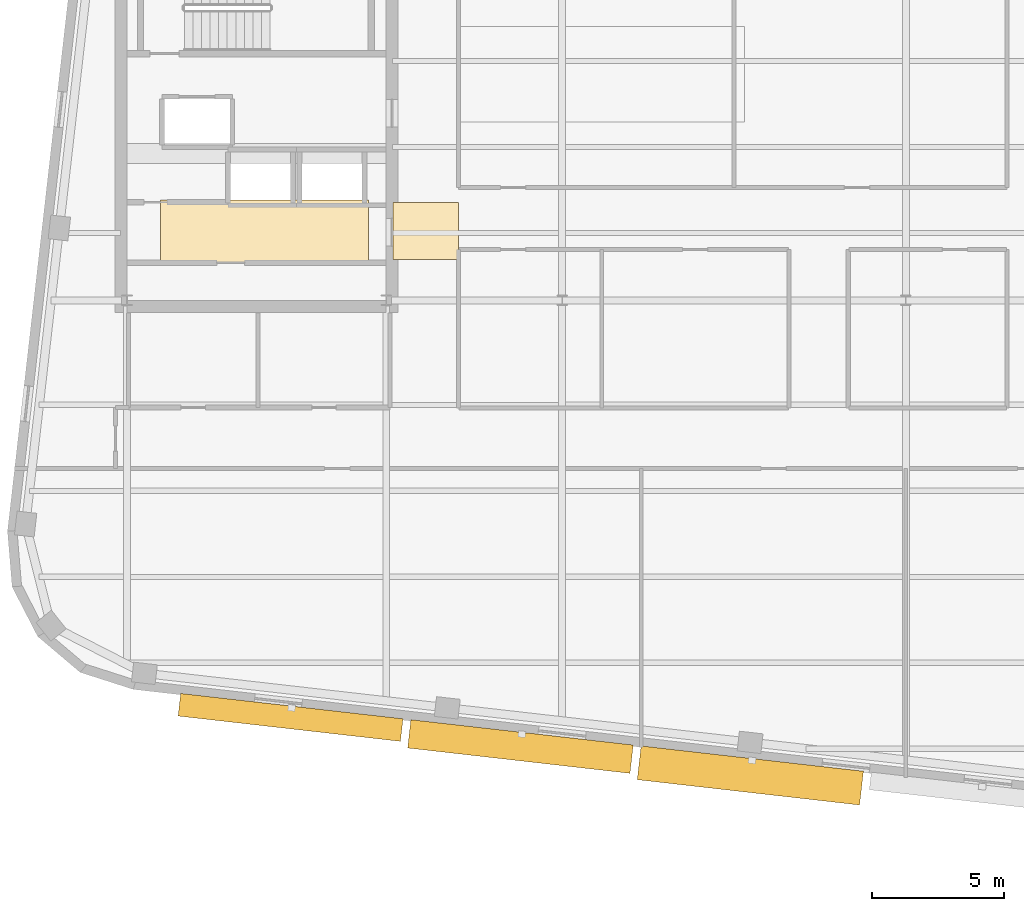
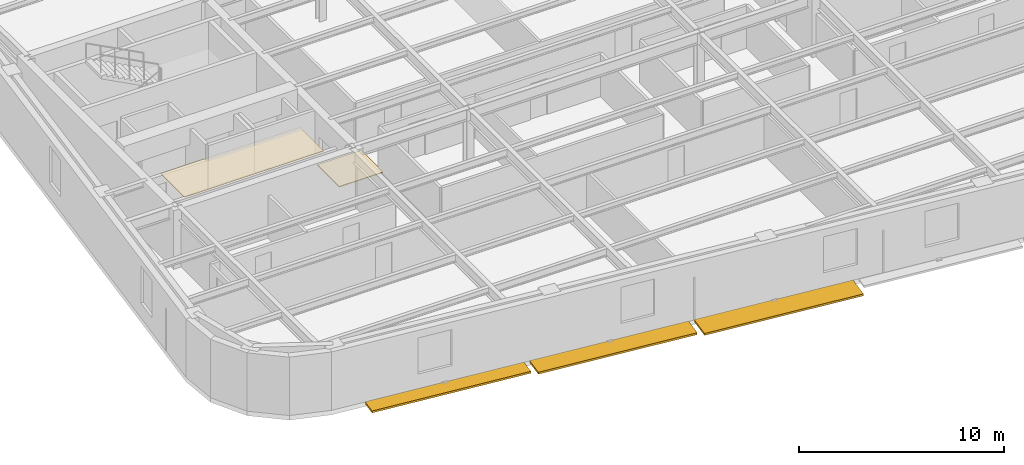
# One storey, part 10 of 13: 3 shading devices, 2 coverings.
"""IFC4 building model written with IfcOpenShell, lengths in metres."""

import ifcopenshell
import ifcopenshell.guid

model = None  # the IFC model being written
_history = None  # IfcOwnerHistory: only IFC2X3 demands one
_inside = {}  # id of a spatial element -> (the spatial element, [elements in it])
_under = {}  # id of a project, library or spatial element -> (it, [spatial elements below it])
_declared = {}  # id of a project -> (the project, [libraries it declares])
_typed = {}  # id of a type object -> (the type object, [elements of that type])
_made_of = {}  # id of a material, layer set ... -> (it, [elements and type objects made of it])


def new_model(schema):
    """Start an empty IFC model of exactly this schema.

    Asked for "IFC4X3", IfcOpenShell would pick the latest addendum, in which some entities
    have other attributes; the version numbers below select the first issue.
    IFC2X3 requires an IfcOwnerHistory on every rooted entity: one is made here for all.
    """
    global model, _history
    if schema == "IFC4X3":
        model = ifcopenshell.file(schema_version=(4, 3, 0, 0))
    else:
        model = ifcopenshell.file(schema=schema)
    _inside.clear()
    _under.clear()
    _declared.clear()
    _typed.clear()
    _made_of.clear()
    _history = None
    if model.schema == "IFC2X3":
        org = make("IfcOrganization", Name="unknown")
        user = make(
            "IfcPersonAndOrganization",
            ThePerson=make("IfcPerson", FamilyName="unknown"),
            TheOrganization=org,
        )
        app = make(
            "IfcApplication",
            ApplicationDeveloper=org,
            Version="unknown",
            ApplicationFullName="unknown",
            ApplicationIdentifier="unknown",
        )
        _history = make(
            "IfcOwnerHistory",
            OwningUser=user,
            OwningApplication=app,
            ChangeAction="ADDED",
            CreationDate=0,
        )
    return model


def make(cls, **values):
    """One entity of the class cls with the attributes given. An attribute that is None is left unset."""
    return model.create_entity(
        cls, **{name: value for name, value in values.items() if value is not None}
    )


def rooted(cls, **values):
    """An entity with a GlobalId (a new one), such as an element, a storey or a relation."""
    return make(cls, GlobalId=ifcopenshell.guid.new(), OwnerHistory=_history, **values)


def si_unit(unit_type, name, prefix=None):
    """IfcSIUnit, for example si_unit("LENGTHUNIT", "METRE", prefix="MILLI")."""
    return make("IfcSIUnit", UnitType=unit_type, Prefix=prefix, Name=name)


def assignment(units):
    """IfcUnitAssignment: the units of a project."""
    return None if units is None else make("IfcUnitAssignment", Units=units)


def point(xyz):
    """IfcCartesianPoint."""
    return None if xyz is None else make("IfcCartesianPoint", Coordinates=xyz)


def direction(xyz):
    """IfcDirection."""
    return None if xyz is None else make("IfcDirection", DirectionRatios=xyz)


def frame(location, z_axis=None, x_axis=None):
    """IfcAxis2Placement3D, a coordinate frame: its origin and axes. An axis left out is left unset."""
    return make(
        "IfcAxis2Placement3D",
        Location=point(location),
        Axis=direction(z_axis),
        RefDirection=direction(x_axis),
    )


def frame_2d(location, x_axis=None):
    """IfcAxis2Placement2D, a coordinate frame in the plane: its origin and x axis."""
    return make(
        "IfcAxis2Placement2D", Location=point(location), RefDirection=direction(x_axis)
    )


def origin():
    """The frame at (0, 0, 0) with its axes left unset."""
    return frame((0.0, 0.0, 0.0))


def origin_2d():
    """The frame at (0, 0) in the plane with its x axis left unset."""
    return frame_2d((0.0, 0.0))


def place(relative_to, where):
    """IfcLocalPlacement: puts the frame where relative to a parent placement (None: the world)."""
    return make(
        "IfcLocalPlacement", PlacementRelTo=relative_to, RelativePlacement=where
    )


def context(
    kind, dimensions, precision=None, world=None, true_north=None, identifier=None
):
    """IfcGeometricRepresentationContext, for example the 3D "Model" context."""
    return make(
        "IfcGeometricRepresentationContext",
        ContextIdentifier=identifier,
        ContextType=kind,
        CoordinateSpaceDimension=dimensions,
        Precision=precision,
        WorldCoordinateSystem=world,
        TrueNorth=true_north,
    )


def subcontext(parent, identifier, kind, view, scale=None):
    """IfcGeometricRepresentationSubContext, for example "Body" below "Model"."""
    return make(
        "IfcGeometricRepresentationSubContext",
        ContextIdentifier=identifier,
        ContextType=kind,
        ParentContext=parent,
        TargetScale=scale,
        TargetView=view,
    )


def project(units=None, contexts=None):
    """IfcProject with its units and contexts."""
    return rooted(
        "IfcProject",
        Name="project",
        RepresentationContexts=contexts,
        UnitsInContext=assignment(units),
    )


def spatial(cls, under=None, at=None, **own):
    """A site, building, storey or space (cls), placed at a placement, below another one or the project."""
    s = rooted(cls, ObjectPlacement=at, **own)
    if under is not None:
        _under.setdefault(under.id(), (under, []))[1].append(s)
    return s


def polyline(points):
    """IfcPolyline through the points."""
    return make("IfcPolyline", Points=[point(p) for p in points])


def profile(cls, at=None, kind="AREA", **sizes):
    """A parametric profile (cls). Its sizes go by their IFC names, for example OverallWidth=200.0."""
    return make(cls, ProfileType=kind, Position=at, **sizes)


def rectangle(**sizes):
    """IfcRectangleProfileDef."""
    return profile("IfcRectangleProfileDef", **sizes)


def outline(outer, holes=None, kind="AREA"):
    """IfcArbitraryClosedProfileDef: a profile drawn as a closed curve; with holes, ...WithVoids."""
    if holes is None:
        return make("IfcArbitraryClosedProfileDef", ProfileType=kind, OuterCurve=outer)
    return make(
        "IfcArbitraryProfileDefWithVoids",
        ProfileType=kind,
        OuterCurve=outer,
        InnerCurves=holes,
    )


def extrude(swept, where, along, depth):
    """IfcExtrudedAreaSolid: the profile swept, set in the frame where, extruded along a direction by depth."""
    return make(
        "IfcExtrudedAreaSolid",
        SweptArea=swept,
        Position=where,
        ExtrudedDirection=direction(along),
        Depth=depth,
    )


def shape(context_of_items, identifier, shape_type, items):
    """IfcShapeRepresentation: the items that make up one representation, for example the "Body"."""
    return make(
        "IfcShapeRepresentation",
        ContextOfItems=context_of_items,
        RepresentationIdentifier=identifier,
        RepresentationType=shape_type,
        Items=items,
    )


def material(Name=None, Category=None):
    """IfcMaterial."""
    return make("IfcMaterial", Name=Name, Category=Category)


def layer(
    of_material, thickness, ventilated=None, Name=None, Category=None, Priority=None
):
    """IfcMaterialLayer: one layer of a wall or slab, of a material (None: an air gap)."""
    return make(
        "IfcMaterialLayer",
        Material=of_material,
        LayerThickness=thickness,
        IsVentilated=ventilated,
        Name=Name,
        Category=Category,
        Priority=Priority,
    )


def layer_set(layers, Name=None):
    """IfcMaterialLayerSet."""
    return make("IfcMaterialLayerSet", MaterialLayers=layers, LayerSetName=Name)


def made_of(thing, what):
    """Note that an element or type object is made of a material, layer set ...; save() writes the relation."""
    if what is not None:
        _made_of.setdefault(what.id(), (what, []))[1].append(thing)
    return thing


def type_object(cls, material=None, **own):
    """A type object (cls), such as IfcWallType, which elements share."""
    return made_of(rooted(cls, **own), material)


def element(
    cls,
    number,
    at=None,
    inside=None,
    cuts=None,
    type_object=None,
    material=None,
    context=None,
    identifier="Body",
    shape_type=None,
    held_by="IfcProductDefinitionShape",
    body=None,
    shapes=None,
    **own,
):
    """One element of the class cls, such as IfcWall. Its Tag is "e" and its number.

    at: its placement. inside: the storey or other place that contains it. cuts: it is an
    opening in that element (IfcRelVoidsElement). A single representation is given by context,
    identifier, shape_type and body (its items); several are given by shapes. held_by: the class
    of the entity that holds the representations. save() writes the other relations.
    """
    e = rooted(cls, Tag="e%d" % number, ObjectPlacement=at, **own)
    if body is not None:
        shapes = [shape(context, identifier, shape_type, body)]
    if shapes is not None:
        e.Representation = make(held_by, Representations=shapes)
    if inside is not None:
        _inside.setdefault(inside.id(), (inside, []))[1].append(e)
    if cuts is not None:
        rooted(
            "IfcRelVoidsElement", RelatingBuildingElement=cuts, RelatedOpeningElement=e
        )
    if type_object is not None:
        _typed.setdefault(type_object.id(), (type_object, []))[1].append(e)
    return made_of(e, material)


def aggregate(whole, parts):
    """IfcRelAggregates: a whole, such as a stair, and the parts it consists of."""
    return rooted("IfcRelAggregates", RelatingObject=whole, RelatedObjects=parts)


def save(model, path):
    """Write the relations noted so far, then the file.

    IfcRelAggregates (storeys below a building ...), IfcRelContainedInSpatialStructure (elements
    in a storey), IfcRelDefinesByType, IfcRelAssociatesMaterial and IfcRelDeclares: one each for
    every whole, place, type object, material and project.
    """
    for whole, parts in _under.values():
        aggregate(whole, parts)
    for where, things in _inside.values():
        rooted(
            "IfcRelContainedInSpatialStructure",
            RelatedElements=things,
            RelatingStructure=where,
        )
    for kind, things in _typed.values():
        rooted("IfcRelDefinesByType", RelatedObjects=things, RelatingType=kind)
    for what, things in _made_of.values():
        rooted("IfcRelAssociatesMaterial", RelatedObjects=things, RelatingMaterial=what)
    for by, libraries in _declared.values():
        rooted("IfcRelDeclares", RelatingContext=by, RelatedDefinitions=libraries)
    model.write(path)


model = new_model("IFC4")

# Units and contexts
model_context = context("Model", 3, precision=1e-05, world=origin(), true_north=direction((0.0, 1.0)))
body_context = subcontext(model_context, "Body", "Model", "MODEL_VIEW")
ifc_project = project(units=[si_unit("LENGTHUNIT", "METRE"), si_unit("AREAUNIT", "SQUARE_METRE"), si_unit("VOLUMEUNIT", "CUBIC_METRE"), si_unit("PLANEANGLEUNIT", "RADIAN"), si_unit("MASSUNIT", "GRAM", prefix="KILO")], contexts=[model_context])

# Site, building, storey
site_placement = place(None, origin())
site = spatial("IfcSite", under=ifc_project, at=site_placement, CompositionType="ELEMENT")
building_placement = place(site_placement, origin())
building = spatial("IfcBuilding", under=site, at=building_placement, Name="Kolvaren Arena Tower", CompositionType="ELEMENT")
storey_placement = place(building_placement, frame((0.0, 0.0, 262.199951171875)))
storey = spatial("IfcBuildingStorey", under=building, at=storey_placement, Name="L64", CompositionType="ELEMENT", Elevation=262.199951171875)

# Coverings
ifc_material_1 = material(Name="Moisture-resistant gypsum ceiling", Category="gypsum")
ifc_layer_1 = layer(ifc_material_1, 0.030029296875)
ifc_layer_set_1 = layer_set([ifc_layer_1], Name="Moisture-resistant gypsum ceiling")
covering_type_1 = type_object("IfcCoveringType", Name="CEIL-GYP-1", PredefinedType="CEILING", material=ifc_layer_set_1)
covering_1_placement = place(storey_placement, frame((0.0, 0.0, 2.52001953125)))
element("IfcCovering", 1, at=covering_1_placement, inside=storey, type_object=covering_type_1, Name="Suspended Ceiling (L64)", PredefinedType="CEILING", context=body_context, shape_type="SweptSolid", body=[
    extrude(outline(polyline([(15.820068359375, 20.89990234375), (15.820068359375, 23.239990234375), (23.679931640625, 23.239990234375), (23.679931640625, 20.89990234375), (15.820068359375, 20.89990234375)])), origin(), (0.0, 0.0, 1.0), 0.030029296875),
])
ifc_material_2 = material(Name="Raised access office floor finish", Category="aluminium")
ifc_layer_2 = layer(ifc_material_2, 0.044921875)
ifc_layer_set_2 = layer_set([ifc_layer_2], Name="Raised access office floor finish")
covering_type_2 = type_object("IfcCoveringType", Name="FLOR-RAF-1", PredefinedType="FLOORING", material=ifc_layer_set_2)
covering_2_placement = place(storey_placement, origin())
element("IfcCovering", 2, at=covering_2_placement, inside=storey, type_object=covering_type_2, Name="Floor Finish (L64)", PredefinedType="FLOORING", context=body_context, shape_type="SweptSolid", body=[
    extrude(outline(polyline([(24.60009765625, 21.0), (24.60009765625, 23.14990234375), (27.080078125, 23.14990234375), (27.080078125, 21.0), (24.60009765625, 21.0)])), origin(), (0.0, 0.0, 1.0), 0.045166015625),
])

# Shading devices
ifc_material_3 = material(Name="Architectural precast GFRC and anodised aluminium sunshade", Category="concrete")
shading_device_type_1 = type_object("IfcShadingDeviceType", Name="SHAD-SINE-A", PredefinedType="USERDEFINED", material=ifc_material_3)
shading_device_1_placement = place(storey_placement, frame((29.426025390625, 2.58447265625, -0.139892578125), z_axis=(0.0, 0.0, 1.0), x_axis=(-0.993571658098, 0.113204947878, 0.0)))
element("IfcShadingDevice", 3, at=shading_device_1_placement, inside=storey, type_object=shading_device_type_1, Name="Sinusoidal Slab-Edge Sunshade Louvre (L64)", ObjectType="LOUVRE", PredefinedType="USERDEFINED", context=body_context, shape_type="SweptSolid", body=[
    extrude(rectangle(XDim=8.4599609375, YDim=1.077880859375, at=origin_2d()), origin(), (0.0, 0.0, 1.0), 0.1201171875),
])
shading_device_2_placement = place(storey_placement, frame((20.734619140625, 3.684814453125, -0.139892578125), z_axis=(0.0, 0.0, 1.0), x_axis=(-0.993571658098, 0.113204947878, 0.0)))
element("IfcShadingDevice", 4, at=shading_device_2_placement, inside=storey, type_object=shading_device_type_1, Name="Sinusoidal Slab-Edge Sunshade Louvre (L64)", ObjectType="LOUVRE", PredefinedType="USERDEFINED", context=body_context, shape_type="SweptSolid", body=[
    extrude(rectangle(XDim=8.4599609375, YDim=0.859130859375, at=origin_2d()), origin(), (0.0, 0.0, 1.0), 0.1201171875),
])
shading_device_type_2 = type_object("IfcShadingDeviceType", Name="SHAD-SINE-B", PredefinedType="JALOUSIE", material=ifc_material_3)
shading_device_3_placement = place(storey_placement, frame((38.117919921875, 1.48974609375, -0.139892578125), z_axis=(0.0, 0.0, 1.0), x_axis=(-0.993571658098, 0.113204947878, 0.0)))
element("IfcShadingDevice", 5, at=shading_device_3_placement, inside=storey, type_object=shading_device_type_2, Name="Sinusoidal Slab-Edge Sunshade Louvre (L64)", PredefinedType="JALOUSIE", context=body_context, shape_type="SweptSolid", body=[
    extrude(rectangle(XDim=8.4599609375, YDim=1.285400390625, at=origin_2d()), origin(), (0.0, 0.0, 1.0), 0.1201171875),
])

save(model, "model.ifc")
